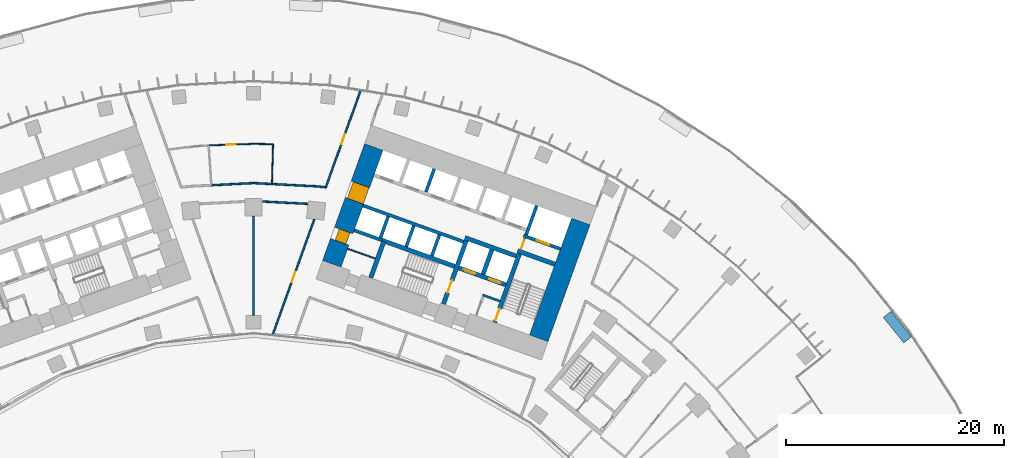
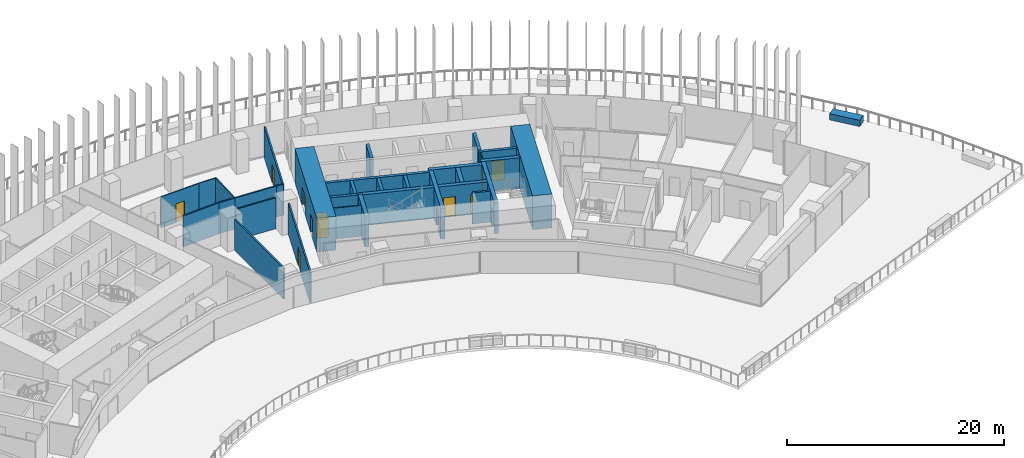
# One storey, part 19 of 24: 32 walls, 11 doors, 11 openings.
"""IFC4 building model written with IfcOpenShell, lengths in metres."""

from ifc_helpers import new_model, si_unit, direction, frame, frame_2d, origin, origin_2d, place, context, subcontext, project, spatial, rectangle, extrude, material, layer, layer_set, type_object, element, fill, save


model = new_model("IFC4")

# Units and contexts
model_context = context("Model", 3, precision=1e-05, world=origin(), true_north=direction((0.0, 1.0)))
body_context = subcontext(model_context, "Body", "Model", "MODEL_VIEW")
ifc_project = project(units=[si_unit("LENGTHUNIT", "METRE"), si_unit("AREAUNIT", "SQUARE_METRE"), si_unit("VOLUMEUNIT", "CUBIC_METRE"), si_unit("PLANEANGLEUNIT", "RADIAN"), si_unit("MASSUNIT", "GRAM", prefix="KILO")], contexts=[model_context])

# Site, building, storey
site_placement = place(None, origin())
site = spatial("IfcSite", under=ifc_project, at=site_placement, CompositionType="ELEMENT")
building_placement = place(site_placement, origin())
building = spatial("IfcBuilding", under=site, at=building_placement, Name="Stone Belt Terrace Tower", CompositionType="ELEMENT")
storey_placement = place(building_placement, frame((0.0, 0.0, 30.0)))
storey = spatial("IfcBuildingStorey", under=building, at=storey_placement, Name="L06", CompositionType="ELEMENT", Elevation=30.0)

# Wall, opening, door
ifc_material_1 = material(Name="Plasterboard partition")
ifc_layer_1 = layer(ifc_material_1, 0.10009765625)
ifc_layer_set_1 = layer_set([ifc_layer_1], Name="Core partition 100")
wall_type_1 = type_object("IfcWallType", Name="Core partition 100", PredefinedType="PARTITIONING", material=ifc_layer_set_1)
wall_1_placement = place(storey_placement, frame((24.555908203125, 51.10400390625, 0.0), z_axis=(0.0, 0.0, 1.0), x_axis=(0.338621735342, 0.94092258999, 0.0)))
wall_1 = element("IfcWall", 1, at=wall_1_placement, inside=storey, type_object=wall_type_1, Name="Core B wall", PredefinedType="PARTITIONING", context=body_context, shape_type="SweptSolid", body=[
    extrude(rectangle(XDim=1.14990234375, YDim=0.10009765625, at=frame_2d((0.574951171875, 0.0))), origin(), (0.0, 0.0, 1.0), 3.47998046875),
])
opening_1_placement = place(wall_1_placement, frame((0.050048828125, 0.0, 0.0)))
opening_1 = element("IfcOpeningElement", 2, at=opening_1_placement, cuts=wall_1, Name="Opening L06-C10", PredefinedType="OPENING", context=body_context, shape_type="SweptSolid", body=[
    extrude(rectangle(XDim=1.0, YDim=2.10009765625, at=frame_2d((0.5, 1.050048828125))), frame((0.0, 0.06005859375, 0.0), z_axis=(0.0, -1.0, 0.0), x_axis=(1.0, 0.0, 0.0)), (0.0, 0.0, 1.0), 0.1201171875),
])
ifc_material_2 = material(Name="Timber door leaf", Category="wood")
door_type_1 = type_object("IfcDoorType", Name="Core room door 1000", OperationType="SINGLE_SWING_LEFT", PredefinedType="DOOR", material=ifc_material_2)
door_1_placement = place(opening_1_placement, origin())
door_1 = element("IfcDoor", 3, at=door_1_placement, inside=storey, type_object=door_type_1, Name="Service lift lobby door core B", OperationType="SINGLE_SWING_RIGHT", OverallHeight=2.10009765625, OverallWidth=1.0, PredefinedType="DOOR", context=body_context, shape_type="SweptSolid", body=[
    extrude(rectangle(XDim=1.0, YDim=2.10009765625, at=frame_2d((0.5, 1.050048828125))), frame((0.0, 0.02490234375, 0.0), z_axis=(0.0, -1.0, 0.0), x_axis=(1.0, 0.0, 0.0)), (0.0, 0.0, 1.0), 0.050048828125),
])
fill(opening_1, door_1)

# Wall
wall_2_placement = place(storey_placement, frame((11.187744140625, 50.2822265625, 0.0), z_axis=(0.0, 0.0, 1.0), x_axis=(-0.940949642365, 0.338546555931, 0.0)))
element("IfcWall", 4, at=wall_2_placement, inside=storey, type_object=wall_type_1, Name="Core B wall", PredefinedType="PARTITIONING", context=body_context, shape_type="SweptSolid", body=[
    extrude(rectangle(XDim=2.699951171875, YDim=0.10009765625, at=frame_2d((1.35009765625, 0.0))), origin(), (0.0, 0.0, 1.0), 3.47998046875),
])

# Wall, openings, doors
ifc_material_3 = material(Name="Concrete B80", Category="concrete")
ifc_layer_2 = layer(ifc_material_3, 1.800048828125)
ifc_layer_set_2 = layer_set([ifc_layer_2], Name="Core wall 1800 B80")
wall_type_2 = type_object("IfcWallType", Name="Core wall 1800 B80", PredefinedType="SHEAR", material=ifc_layer_set_2)
wall_3_placement = place(storey_placement, frame((7.19091796875, 49.8076171875, 0.0), z_axis=(0.0, 0.0, 1.0), x_axis=(0.338632255135, 0.940918804033, 0.0)))
wall_3 = element("IfcWall", 5, at=wall_3_placement, inside=storey, type_object=wall_type_2, Name="Core B wall end_a L06", PredefinedType="SHEAR", context=body_context, shape_type="SweptSolid", body=[
    extrude(rectangle(XDim=11.39990234375, YDim=1.800048828125, at=frame_2d((5.699951171875, 0.0))), origin(), (0.0, 0.0, 1.0), 3.800048828125),
])
opening_2_placement = place(wall_3_placement, frame((6.14990234375, 0.0, 0.0)))
opening_2 = element("IfcOpeningElement", 6, at=opening_2_placement, cuts=wall_3, Name="Opening L06-C11", PredefinedType="OPENING", context=body_context, shape_type="SweptSolid", body=[
    extrude(rectangle(XDim=1.60009765625, YDim=2.10009765625, at=frame_2d((0.800048828125, 1.050048828125))), frame((0.0, 0.909912109375, 0.0), z_axis=(0.0, -1.0, 0.0), x_axis=(1.0, 0.0, 0.0)), (0.0, 0.0, 1.0), 1.820068359375),
])
opening_3_placement = place(wall_3_placement, frame((2.14990234375, 0.0, 0.0)))
opening_3 = element("IfcOpeningElement", 7, at=opening_3_placement, cuts=wall_3, Name="Opening L06-C17", PredefinedType="OPENING", context=body_context, shape_type="SweptSolid", body=[
    extrude(rectangle(XDim=1.10009765625, YDim=2.10009765625, at=frame_2d((0.550048828125, 1.050048828125))), frame((0.0, 0.909912109375, 0.0), z_axis=(0.0, -1.0, 0.0), x_axis=(1.0, 0.0, 0.0)), (0.0, 0.0, 1.0), 1.820068359375),
])
door_type_2 = type_object("IfcDoorType", Name="Core room door 1100", OperationType="SINGLE_SWING_LEFT", PredefinedType="DOOR", material=ifc_material_2)
door_2_placement = place(opening_3_placement, origin())
door_2 = element("IfcDoor", 8, at=door_2_placement, inside=storey, type_object=door_type_2, Name="Door to Accessible WC core B", OperationType="SINGLE_SWING_LEFT", OverallHeight=2.10009765625, OverallWidth=1.10009765625, PredefinedType="DOOR", context=body_context, shape_type="SweptSolid", body=[
    extrude(rectangle(XDim=1.10009765625, YDim=2.10009765625, at=frame_2d((0.550048828125, 1.050048828125))), frame((0.0, 0.44482421875, 0.0), z_axis=(0.0, -1.0, 0.0), x_axis=(1.0, 0.0, 0.0)), (0.0, 0.0, 1.0), 1.050048828125),
])
fill(opening_3, door_2)
ifc_material_4 = material(Name="Glazed aluminium door leaf", Category="aluminium")
door_type_3 = type_object("IfcDoorType", Name="Lift lobby entrance door 1600", OperationType="DOUBLE_DOOR_SINGLE_SWING", PredefinedType="DOOR", material=ifc_material_4)
door_3_placement = place(opening_2_placement, origin())
door_3 = element("IfcDoor", 9, at=door_3_placement, inside=storey, type_object=door_type_3, Name="Lift lobby entrance door core B", OperationType="DOUBLE_DOOR_SINGLE_SWING", OverallHeight=2.10009765625, OverallWidth=1.60009765625, PredefinedType="DOOR", context=body_context, shape_type="SweptSolid", body=[
    extrude(rectangle(XDim=1.60009765625, YDim=2.10009765625, at=frame_2d((0.800048828125, 1.050048828125))), frame((0.0, 0.69482421875, 0.0), z_axis=(0.0, -1.0, 0.0), x_axis=(1.0, 0.0, 0.0)), (0.0, 0.0, 1.0), 1.550048828125),
])
fill(opening_2, door_3)

# Walls
wall_4_placement = place(storey_placement, frame((26.197509765625, 42.96728515625, 0.0), z_axis=(0.0, 0.0, 1.0), x_axis=(0.338625431531, 0.940921259788, 0.0)))
element("IfcWall", 10, at=wall_4_placement, inside=storey, type_object=wall_type_2, Name="Core B wall end_b L06", PredefinedType="SHEAR", context=body_context, shape_type="SweptSolid", body=[
    extrude(rectangle(XDim=11.400146484375, YDim=1.800048828125, at=frame_2d((5.7001953125, 0.0))), origin(), (0.0, 0.0, 1.0), 3.800048828125),
])
ifc_layer_3 = layer(ifc_material_3, 0.39990234375)
ifc_layer_set_3 = layer_set([ifc_layer_3], Name="Fire-fighting lift shaft wall 400")
wall_type_3 = type_object("IfcWallType", Name="Fire-fighting lift shaft wall 400", PredefinedType="SHEAR", material=ifc_layer_set_3)
wall_5_placement = place(storey_placement, frame((24.130615234375, 50.512939453125, 0.0), z_axis=(0.0, 0.0, 1.0), x_axis=(-0.94091168377, 0.338652038744, 0.0)))
element("IfcWall", 11, at=wall_5_placement, inside=storey, type_object=wall_type_3, Name="Core B wall", PredefinedType="SHEAR", context=body_context, shape_type="SweptSolid", body=[
    extrude(rectangle(XDim=5.000244140625, YDim=0.39990234375, at=frame_2d((2.5, 0.0))), origin(), (0.0, 0.0, 1.0), 3.47998046875),
])
wall_6_placement = place(storey_placement, frame((21.0859375, 48.845458984375, 0.0), z_axis=(0.0, 0.0, 1.0), x_axis=(0.338629416206, 0.940919825745, 0.0)))
element("IfcWall", 12, at=wall_6_placement, inside=storey, type_object=wall_type_3, Name="Core B wall", PredefinedType="SHEAR", context=body_context, shape_type="SweptSolid", body=[
    extrude(rectangle(XDim=2.400146484375, YDim=0.39990234375, at=frame_2d((1.2001953125, 0.0))), origin(), (0.0, 0.0, 1.0), 3.47998046875),
])

# Wall, opening, door
ifc_layer_4 = layer(ifc_material_3, 0.300048828125)
ifc_layer_set_4 = layer_set([ifc_layer_4], Name="Lift shaft wall 300")
wall_type_4 = type_object("IfcWallType", Name="Lift shaft wall 300", PredefinedType="SHEAR", material=ifc_layer_set_4)
wall_7_placement = place(storey_placement, frame((28.195068359375, 51.17578125, 0.0), z_axis=(0.0, 0.0, 1.0), x_axis=(-0.940901243567, 0.338681044427, 0.0)))
wall_7 = element("IfcWall", 13, at=wall_7_placement, inside=storey, type_object=wall_type_4, Name="Core B wall", PredefinedType="SHEAR", context=body_context, shape_type="SweptSolid", body=[
    extrude(rectangle(XDim=3.599853515625, YDim=0.300048828125, at=frame_2d((1.7998046875, 0.0))), origin(), (0.0, 0.0, 1.0), 3.47998046875),
])
opening_4_placement = place(wall_7_placement, frame((1.1201171875, 0.0, 0.0)))
opening_4 = element("IfcOpeningElement", 14, at=opening_4_placement, cuts=wall_7, Name="Opening L06-LD18", PredefinedType="OPENING", context=body_context, shape_type="SweptSolid", body=[
    extrude(rectangle(XDim=1.199951171875, YDim=2.199951171875, at=frame_2d((0.60009765625, 1.10009765625))), frame((0.0, 0.159912109375, 0.0), z_axis=(0.0, -1.0, 0.0), x_axis=(1.0, 0.0, 0.0)), (0.0, 0.0, 1.0), 0.320068359375),
])
ifc_material_5 = material(Name="Stainless steel door leaf", Category="steel")
door_type_4 = type_object("IfcDoorType", Name="Landing door 1200", OperationType="SLIDING_TO_LEFT", PredefinedType="DOOR", material=ifc_material_5)
door_4_placement = place(opening_4_placement, origin())
door_4 = element("IfcDoor", 15, at=door_4_placement, inside=storey, type_object=door_type_4, Name="Landing door SV1 core B", OperationType="SLIDING_TO_LEFT", OverallHeight=2.199951171875, OverallWidth=1.199951171875, PredefinedType="DOOR", context=body_context, shape_type="SweptSolid", body=[
    extrude(rectangle(XDim=1.199951171875, YDim=2.199951171875, at=frame_2d((0.60009765625, 1.10009765625))), frame((0.0, 0.02490234375, 0.0), z_axis=(0.0, -1.0, 0.0), x_axis=(1.0, 0.0, 0.0)), (0.0, 0.0, 1.0), 0.050048828125),
])
fill(opening_4, door_4)

# Walls
wall_8_placement = place(storey_placement, frame((25.046875, 52.46826171875, 0.0), z_axis=(0.0, 0.0, 1.0), x_axis=(0.338549588058, 0.940948551423, 0.0)))
element("IfcWall", 16, at=wall_8_placement, inside=storey, type_object=wall_type_4, Name="Core B wall", PredefinedType="SHEAR", context=body_context, shape_type="SweptSolid", body=[
    extrude(rectangle(XDim=2.849853515625, YDim=0.300048828125, at=frame_2d((1.4248046875, 0.0))), origin(), (0.0, 0.0, 1.0), 3.47998046875),
])
wall_9_placement = place(storey_placement, frame((19.29052734375, 51.829833984375, 0.0), z_axis=(0.0, 0.0, 1.0), x_axis=(-0.940925833398, 0.338612722803, 0.0)))
element("IfcWall", 17, at=wall_9_placement, inside=storey, type_object=wall_type_4, Name="Core B wall", PredefinedType="SHEAR", context=body_context, shape_type="SweptSolid", body=[
    extrude(rectangle(XDim=9.7998046875, YDim=0.300048828125, at=frame_2d((4.89990234375, 0.0))), origin(), (0.0, 0.0, 1.0), 3.47998046875),
])
for number, where, z_axis, x_axis, name in (
    (18, (16.38134765625, 50.53857421875, 0.0), (0.0, 0.0, 1.0), (0.338681515556, 0.940901073982, 0.0), "Core B wall"),
    (19, (14.029052734375, 51.38525390625, 0.0), (0.0, 0.0, 1.0), (0.338681515556, 0.940901073982, 0.0), "Core B wall"),
):
    element("IfcWall", number, at=place(storey_placement, frame(where, z_axis=z_axis, x_axis=x_axis)), inside=storey, type_object=wall_type_4, Name=name, PredefinedType="SHEAR", context=body_context, shape_type="SweptSolid", body=[
        extrude(rectangle(XDim=2.050048828125, YDim=0.300048828125, at=frame_2d((1.02490234375, 0.0))), origin(), (0.0, 0.0, 1.0), 3.47998046875),
    ])
wall_10_placement = place(storey_placement, frame((15.8408203125, 56.419189453125, 0.0), z_axis=(0.0, 0.0, 1.0), x_axis=(0.338569601369, 0.940941350472, 0.0)))
element("IfcWall", 20, at=wall_10_placement, inside=storey, type_object=wall_type_4, Name="Core B wall", PredefinedType="SHEAR", context=body_context, shape_type="SweptSolid", body=[
    extrude(rectangle(XDim=2.249755859375, YDim=0.300048828125, at=frame_2d((1.125, 0.0))), origin(), (0.0, 0.0, 1.0), 3.47998046875),
])
wall_11_placement = place(storey_placement, frame((11.797119140625, 51.975830078125, 0.0), z_axis=(0.0, 0.0, 1.0), x_axis=(-0.940910465161, 0.33865542451, 0.0)))
element("IfcWall", 21, at=wall_11_placement, inside=storey, type_object=wall_type_4, Name="Core B wall", PredefinedType="SHEAR", context=body_context, shape_type="SweptSolid", body=[
    extrude(rectangle(XDim=2.69970703125, YDim=0.300048828125, at=frame_2d((1.349853515625, 0.0))), origin(), (0.0, 0.0, 1.0), 3.47998046875),
])
wall_12_placement = place(storey_placement, frame((11.659912109375, 52.184814453125, 0.0), z_axis=(0.0, 0.0, 1.0), x_axis=(0.338670064856, 0.940905195634, 0.0)))
element("IfcWall", 22, at=wall_12_placement, inside=storey, type_object=wall_type_4, Name="Core B wall", PredefinedType="SHEAR", context=body_context, shape_type="SweptSolid", body=[
    extrude(rectangle(XDim=2.099853515625, YDim=0.300048828125, at=frame_2d((1.0498046875, 0.0))), origin(), (0.0, 0.0, 1.0), 3.47998046875),
])
ifc_material_6 = material(Name="Gypsum board partition")
ifc_layer_5 = layer(ifc_material_6, 0.10009765625)
ifc_layer_set_5 = layer_set([ifc_layer_5], Name="PARTITION 100")
wall_type_5 = type_object("IfcWallType", Name="PARTITION 100", PredefinedType="PARTITIONING", material=ifc_layer_set_5)
wall_13_placement = place(storey_placement, frame((1.68896484375, 57.136962890625, 0.0), z_axis=(0.0, 0.0, 1.0), x_axis=(0.029528329362, 0.99956394381, 0.0)))
element("IfcWall", 23, at=wall_13_placement, inside=storey, type_object=wall_type_5, Name="L06/wall/i092", PredefinedType="PARTITIONING", context=body_context, shape_type="SweptSolid", body=[
    extrude(rectangle(XDim=3.662841796875, YDim=0.10009765625, at=frame_2d((1.83154296875, 0.0))), origin(), (0.0, 0.0, 1.0), 3.47998046875),
])
wall_14_placement = place(storey_placement, frame((1.797119140625, 60.798095703125, 0.0), z_axis=(0.0, 0.0, 1.0), x_axis=(-0.999888362781, 0.014941953526, 0.0)))
element("IfcWall", 24, at=wall_14_placement, inside=storey, type_object=wall_type_5, Name="L06/wall/i093", PredefinedType="PARTITIONING", context=body_context, shape_type="SweptSolid", body=[
    extrude(rectangle(XDim=1.79736328125, YDim=0.10009765625, at=frame_2d((0.898681640625, 0.0))), origin(), (0.0, 0.0, 1.0), 3.47998046875),
])

# Wall, opening, door
wall_15_placement = place(storey_placement, frame((0.0, 60.824951171875, 0.0), z_axis=(0.0, 0.0, 1.0), x_axis=(-0.999424893821, -0.03390990432, 0.0)))
wall_15 = element("IfcWall", 25, at=wall_15_placement, inside=storey, type_object=wall_type_5, Name="L06/wall/i094", PredefinedType="PARTITIONING", context=body_context, shape_type="SweptSolid", body=[
    extrude(rectangle(XDim=4.12548828125, YDim=0.10009765625, at=frame_2d((2.062744140625, 0.0))), origin(), (0.0, 0.0, 1.0), 3.47998046875),
])
opening_5_placement = place(wall_15_placement, frame((1.61279296875, 0.0, 0.0)))
opening_5 = element("IfcOpeningElement", 26, at=opening_5_placement, cuts=wall_15, Name="Opening D-A1-30", PredefinedType="OPENING", context=body_context, shape_type="SweptSolid", body=[
    extrude(rectangle(XDim=0.89990234375, YDim=2.10009765625, at=frame_2d((0.449951171875, 1.050048828125))), frame((0.0, 0.06005859375, 0.0), z_axis=(0.0, -1.0, 0.0), x_axis=(1.0, 0.0, 0.0)), (0.0, 0.0, 1.0), 0.1201171875),
])
door_type_5 = type_object("IfcDoorType", Name="OFFICE DOOR 900 X 2100", OperationType="NOTDEFINED", PredefinedType="DOOR", material=ifc_material_2)
door_5_placement = place(opening_5_placement, origin())
door_5 = element("IfcDoor", 27, at=door_5_placement, inside=storey, type_object=door_type_5, Name="L06/door/i30", OperationType="SINGLE_SWING_RIGHT", OverallHeight=2.10009765625, OverallWidth=0.89990234375, PredefinedType="DOOR", context=body_context, shape_type="SweptSolid", body=[
    extrude(rectangle(XDim=0.89990234375, YDim=2.10009765625, at=frame_2d((0.449951171875, 1.050048828125))), frame((0.0, 0.02490234375, 0.0), z_axis=(0.0, -1.0, 0.0), x_axis=(1.0, 0.0, 0.0)), (0.0, 0.0, 1.0), 0.050048828125),
])
fill(opening_5, door_5)

ifc_layer_6 = layer(ifc_material_6, 0.14990234375)
ifc_layer_set_6 = layer_set([ifc_layer_6], Name="PARTITION 150 EI 60")
wall_type_6 = type_object("IfcWallType", Name="PARTITION 150 EI 60", PredefinedType="PARTITIONING", material=ifc_layer_set_6)
wall_16_placement = place(storey_placement, frame((1.771484375, 43.313720703125, 0.0), z_axis=(0.0, 0.0, 1.0), x_axis=(0.338622486498, 0.940922319662, 0.0)))
wall_16 = element("IfcWall", 28, at=wall_16_placement, inside=storey, type_object=wall_type_6, Name="L06/wall/i020", PredefinedType="PARTITIONING", context=body_context, shape_type="SweptSolid", body=[
    extrude(rectangle(XDim=11.232177734375, YDim=0.14990234375, at=frame_2d((5.6162109375, 0.0))), origin(), (0.0, 0.0, 1.0), 3.47998046875),
])
opening_6_placement = place(wall_16_placement, frame((5.1162109375, 0.0, 0.0)))
opening_6 = element("IfcOpeningElement", 29, at=opening_6_placement, cuts=wall_16, Name="Opening D-A1-27", PredefinedType="OPENING", context=body_context, shape_type="SweptSolid", body=[
    extrude(rectangle(XDim=1.0, YDim=2.10009765625, at=frame_2d((0.5, 1.050048828125))), frame((0.0, 0.0849609375, 0.0), z_axis=(0.0, -1.0, 0.0), x_axis=(1.0, 0.0, 0.0)), (0.0, 0.0, 1.0), 0.169921875),
])
ifc_material_7 = material(Name="Timber fire door leaf", Category="wood")
door_type_6 = type_object("IfcDoorType", Name="TENANCY ENTRANCE DOOR 1000 X 2100", OperationType="NOTDEFINED", PredefinedType="DOOR", material=ifc_material_7)
door_6_placement = place(opening_6_placement, origin())
door_6 = element("IfcDoor", 30, at=door_6_placement, inside=storey, type_object=door_type_6, Name="L06/door/i27", OperationType="SINGLE_SWING_LEFT", OverallHeight=2.10009765625, OverallWidth=1.0, PredefinedType="DOOR", context=body_context, shape_type="SweptSolid", body=[
    extrude(rectangle(XDim=1.0, YDim=2.10009765625, at=frame_2d((0.5, 1.050048828125))), frame((0.0, 0.02490234375, 0.0), z_axis=(0.0, -1.0, 0.0), x_axis=(1.0, 0.0, 0.0)), (0.0, 0.0, 1.0), 0.050048828125),
])
fill(opening_6, door_6)

wall_17_placement = place(storey_placement, frame((6.634033203125, 56.822998046875, 0.0), z_axis=(0.0, 0.0, 1.0), x_axis=(0.338561511742, 0.940944261243, 0.0)))
wall_17 = element("IfcWall", 31, at=wall_17_placement, inside=storey, type_object=wall_type_6, Name="L06/wall/i021", PredefinedType="PARTITIONING", context=body_context, shape_type="SweptSolid", body=[
    extrude(rectangle(XDim=9.4140625, YDim=0.14990234375, at=frame_2d((4.70703125, 0.0))), origin(), (0.0, 0.0, 1.0), 3.47998046875),
])
opening_7_placement = place(wall_17_placement, frame((4.20703125, 0.0, 0.0)))
opening_7 = element("IfcOpeningElement", 32, at=opening_7_placement, cuts=wall_17, Name="Opening D-A1-28", PredefinedType="OPENING", context=body_context, shape_type="SweptSolid", body=[
    extrude(rectangle(XDim=1.0, YDim=2.10009765625, at=frame_2d((0.5, 1.050048828125))), frame((0.0, 0.0849609375, 0.0), z_axis=(0.0, -1.0, 0.0), x_axis=(1.0, 0.0, 0.0)), (0.0, 0.0, 1.0), 0.169921875),
])
door_7_placement = place(opening_7_placement, origin())
door_7 = element("IfcDoor", 33, at=door_7_placement, inside=storey, type_object=door_type_6, Name="L06/door/i28", OperationType="SINGLE_SWING_RIGHT", OverallHeight=2.10009765625, OverallWidth=1.0, PredefinedType="DOOR", context=body_context, shape_type="SweptSolid", body=[
    extrude(rectangle(XDim=1.0, YDim=2.10009765625, at=frame_2d((0.5, 1.050048828125))), frame((0.0, 0.02490234375, 0.0), z_axis=(0.0, -1.0, 0.0), x_axis=(1.0, 0.0, 0.0)), (0.0, 0.0, 1.0), 0.050048828125),
])
fill(opening_7, door_7)

# Walls
wall_18_placement = place(storey_placement, frame((4.979248046875, 55.314453125, 0.0), z_axis=(0.0, 0.0, 1.0), x_axis=(-0.998634659291, 0.052238082501, 0.0)))
element("IfcWall", 34, at=wall_18_placement, inside=storey, type_object=wall_type_6, Name="L06/wall/i082", PredefinedType="PARTITIONING", context=body_context, shape_type="SweptSolid", body=[
    extrude(rectangle(XDim=4.15478515625, YDim=0.14990234375, at=frame_2d((2.077392578125, 0.0))), origin(), (0.0, 0.0, 1.0), 3.47998046875),
])
wall_19_placement = place(storey_placement, frame((1.68310546875, 57.136962890625, 0.0), z_axis=(0.0, 0.0, 1.0), x_axis=(0.99863485374, -0.052234365078, 0.0)))
element("IfcWall", 35, at=wall_19_placement, inside=storey, type_object=wall_type_6, Name="L06/wall/i083", PredefinedType="PARTITIONING", context=body_context, shape_type="SweptSolid", body=[
    extrude(rectangle(XDim=4.3046875, YDim=0.14990234375, at=frame_2d((2.15234375, 0.0))), origin(), (0.0, 0.0, 1.0), 3.47998046875),
])
wall_20_placement = place(storey_placement, frame((5.98193359375, 56.912109375, 0.0), z_axis=(0.0, 0.0, 1.0), x_axis=(0.992042541351, -0.125903122083, 0.0)))
element("IfcWall", 36, at=wall_20_placement, inside=storey, type_object=wall_type_6, Name="L06/wall/i084", PredefinedType="PARTITIONING", context=body_context, shape_type="SweptSolid", body=[
    extrude(rectangle(XDim=0.6591796875, YDim=0.14990234375, at=frame_2d((0.32958984375, 0.0))), origin(), (0.0, 0.0, 1.0), 3.47998046875),
])
wall_21_placement = place(storey_placement, frame((-3.8798828125, 57.02197265625, 0.0), z_axis=(0.0, 0.0, 1.0), x_axis=(0.998632372254, 0.052281785409, 0.0)))
element("IfcWall", 37, at=wall_21_placement, inside=storey, type_object=wall_type_6, Name="L06/wall/i087", PredefinedType="PARTITIONING", context=body_context, shape_type="SweptSolid", body=[
    extrude(rectangle(XDim=3.88525390625, YDim=0.14990234375, at=frame_2d((1.942626953125, 0.0))), origin(), (0.0, 0.0, 1.0), 3.47998046875),
])
wall_22_placement = place(storey_placement, frame((0.0, 57.22509765625, 0.0), z_axis=(0.0, 0.0, 1.0), x_axis=(0.9986210061, -0.052498439756, 0.0)))
element("IfcWall", 38, at=wall_22_placement, inside=storey, type_object=wall_type_6, Name="L06/wall/i088", PredefinedType="PARTITIONING", context=body_context, shape_type="SweptSolid", body=[
    extrude(rectangle(XDim=1.697509765625, YDim=0.14990234375, at=frame_2d((0.8486328125, 0.0))), origin(), (0.0, 0.0, 1.0), 3.47998046875),
])
wall_23_placement = place(storey_placement, frame((0.0, 54.169921875, 0.0), z_axis=(0.0, 0.0, 1.0), x_axis=(0.0, -1.0, 0.0)))
element("IfcWall", 39, at=wall_23_placement, inside=storey, type_object=wall_type_6, Name="L06/wall/i089", PredefinedType="PARTITIONING", context=body_context, shape_type="SweptSolid", body=[
    extrude(rectangle(XDim=9.06982421875, YDim=0.14990234375, at=frame_2d((4.534912109375, 0.0))), origin(), (0.0, 0.0, 1.0), 3.47998046875),
])
ifc_material_8 = material(Name="Precast concrete C40/50", Category="concrete")
ifc_layer_7 = layer(ifc_material_8, 0.89990234375)
ifc_layer_set_7 = layer_set([ifc_layer_7], Name="Planter box 900 x 700")
wall_type_7 = type_object("IfcWallType", Name="Planter box 900 x 700", PredefinedType="SOLIDWALL", material=ifc_layer_set_7)
wall_24_placement = place(storey_placement, frame((59.141357421875, 43.994140625, 0.0), z_axis=(0.0, 0.0, 1.0), x_axis=(-0.62932039105, 0.777145961457, 0.0)))
element("IfcWall", 40, at=wall_24_placement, inside=storey, type_object=wall_type_7, Name="PLANTER L06 2", PredefinedType="SOLIDWALL", context=body_context, shape_type="SweptSolid", body=[
    extrude(rectangle(XDim=3.0, YDim=0.89990234375, at=origin_2d()), origin(), (0.0, 0.0, 1.0), 0.699951171875),
])
ifc_material_9 = material(Name="Concrete masonry block", Category="masonry")
ifc_layer_8 = layer(ifc_material_9, 0.199951171875)
ifc_layer_set_8 = layer_set([ifc_layer_8], Name="Rated lobby wall 200")
wall_type_8 = type_object("IfcWallType", Name="Rated lobby wall 200", PredefinedType="PARTITIONING", material=ifc_layer_set_8)
wall_25_placement = place(storey_placement, frame((22.640625, 46.373046875, 0.0), z_axis=(0.0, 0.0, 1.0), x_axis=(-0.940966110313, 0.338500781747, 0.0)))
element("IfcWall", 41, at=wall_25_placement, inside=storey, type_object=wall_type_8, Name="Core B wall", PredefinedType="PARTITIONING", context=body_context, shape_type="SweptSolid", body=[
    extrude(rectangle(XDim=1.699951171875, YDim=0.199951171875, at=frame_2d((0.85009765625, 0.0))), origin(), (0.0, 0.0, 1.0), 3.47998046875),
])
ifc_layer_9 = layer(ifc_material_3, 0.39990234375)
ifc_layer_set_9 = layer_set([ifc_layer_9], Name="Stair enclosure wall 400")
wall_type_9 = type_object("IfcWallType", Name="Stair enclosure wall 400", PredefinedType="SHEAR", material=ifc_layer_set_9)
wall_26_placement = place(storey_placement, frame((27.687255859375, 49.764404296875, 0.0), z_axis=(0.0, 0.0, 1.0), x_axis=(-0.940918954884, 0.338631835981, 0.0)))
element("IfcWall", 42, at=wall_26_placement, inside=storey, type_object=wall_type_9, Name="Core B wall", PredefinedType="SHEAR", context=body_context, shape_type="SweptSolid", body=[
    extrude(rectangle(XDim=3.650146484375, YDim=0.39990234375, at=frame_2d((1.8251953125, 0.0))), origin(), (0.0, 0.0, 1.0), 3.47998046875),
])

# Wall, opening, door
wall_27_placement = place(storey_placement, frame((22.151611328125, 44.42333984375, 0.0), z_axis=(0.0, 0.0, 1.0), x_axis=(0.338625272931, 0.940921316866, 0.0)))
wall_27 = element("IfcWall", 43, at=wall_27_placement, inside=storey, type_object=wall_type_9, Name="Core B wall", PredefinedType="SHEAR", context=body_context, shape_type="SweptSolid", body=[
    extrude(rectangle(XDim=6.699951171875, YDim=0.39990234375, at=frame_2d((3.35009765625, 0.0))), origin(), (0.0, 0.0, 1.0), 3.47998046875),
])
opening_8_placement = place(wall_27_placement, frame((0.14990234375, 0.0, 0.0)))
opening_8 = element("IfcOpeningElement", 44, at=opening_8_placement, cuts=wall_27, Name="Opening L06-C12", PredefinedType="OPENING", context=body_context, shape_type="SweptSolid", body=[
    extrude(rectangle(XDim=1.199951171875, YDim=2.10009765625, at=frame_2d((0.60009765625, 1.050048828125))), frame((0.0, 0.2099609375, 0.0), z_axis=(0.0, -1.0, 0.0), x_axis=(1.0, 0.0, 0.0)), (0.0, 0.0, 1.0), 0.419921875),
])
ifc_material_10 = material(Name="Steel door leaf", Category="steel")
door_type_7 = type_object("IfcDoorType", Name="Stair door 1200", OperationType="SINGLE_SWING_LEFT", PredefinedType="DOOR", material=ifc_material_10)
door_8_placement = place(opening_8_placement, origin())
door_8 = element("IfcDoor", 45, at=door_8_placement, inside=storey, type_object=door_type_7, Name="Stair 1 door core B", OperationType="SINGLE_SWING_RIGHT", OverallHeight=2.10009765625, OverallWidth=1.199951171875, PredefinedType="DOOR", context=body_context, shape_type="SweptSolid", body=[
    extrude(rectangle(XDim=1.199951171875, YDim=2.10009765625, at=frame_2d((0.60009765625, 1.050048828125))), frame((0.0, 0.02490234375, 0.0), z_axis=(0.0, -1.0, 0.0), x_axis=(1.0, 0.0, 0.0)), (0.0, 0.0, 1.0), 0.050048828125),
])
fill(opening_8, door_8)

# Wall, openings, doors
wall_28_placement = place(storey_placement, frame((23.182373046875, 47.87841796875, 0.0), z_axis=(0.0, 0.0, 1.0), x_axis=(-0.940921101762, 0.338625870628, 0.0)))
wall_28 = element("IfcWall", 46, at=wall_28_placement, inside=storey, type_object=wall_type_9, Name="Core B wall", PredefinedType="SHEAR", context=body_context, shape_type="SweptSolid", body=[
    extrude(rectangle(XDim=12.10009765625, YDim=0.39990234375, at=frame_2d((6.050048828125, 0.0))), origin(), (0.0, 0.0, 1.0), 3.47998046875),
])
opening_9_placement = place(wall_28_placement, frame((0.52001953125, 0.0, 0.0)))
opening_9 = element("IfcOpeningElement", 47, at=opening_9_placement, cuts=wall_28, Name="Opening L06-LD16", PredefinedType="OPENING", context=body_context, shape_type="SweptSolid", body=[
    extrude(rectangle(XDim=1.10009765625, YDim=2.199951171875, at=frame_2d((0.550048828125, 1.10009765625))), frame((0.0, 0.2099609375, 0.0), z_axis=(0.0, -1.0, 0.0), x_axis=(1.0, 0.0, 0.0)), (0.0, 0.0, 1.0), 0.419921875),
])
opening_10_placement = place(wall_28_placement, frame((3.02001953125, 0.0, 0.0)))
opening_10 = element("IfcOpeningElement", 48, at=opening_10_placement, cuts=wall_28, Name="Opening L06-LD17", PredefinedType="OPENING", context=body_context, shape_type="SweptSolid", body=[
    extrude(rectangle(XDim=1.10009765625, YDim=2.199951171875, at=frame_2d((0.550048828125, 1.10009765625))), frame((0.0, 0.2099609375, 0.0), z_axis=(0.0, -1.0, 0.0), x_axis=(1.0, 0.0, 0.0)), (0.0, 0.0, 1.0), 0.419921875),
])
door_type_8 = type_object("IfcDoorType", Name="Landing door 1100", OperationType="SLIDING_TO_LEFT", PredefinedType="DOOR", material=ifc_material_5)
door_9_placement = place(opening_9_placement, origin())
door_9 = element("IfcDoor", 49, at=door_9_placement, inside=storey, type_object=door_type_8, Name="Landing door FF1 core B", OperationType="SLIDING_TO_LEFT", OverallHeight=2.199951171875, OverallWidth=1.10009765625, PredefinedType="DOOR", context=body_context, shape_type="SweptSolid", body=[
    extrude(rectangle(XDim=1.10009765625, YDim=2.199951171875, at=frame_2d((0.550048828125, 1.10009765625))), frame((0.0, 0.02490234375, 0.0), z_axis=(0.0, -1.0, 0.0), x_axis=(1.0, 0.0, 0.0)), (0.0, 0.0, 1.0), 0.050048828125),
])
fill(opening_9, door_9)
door_10_placement = place(opening_10_placement, origin())
door_10 = element("IfcDoor", 50, at=door_10_placement, inside=storey, type_object=door_type_8, Name="Landing door FF2 core B", OperationType="SLIDING_TO_LEFT", OverallHeight=2.199951171875, OverallWidth=1.10009765625, PredefinedType="DOOR", context=body_context, shape_type="SweptSolid", body=[
    extrude(rectangle(XDim=1.10009765625, YDim=2.199951171875, at=frame_2d((0.550048828125, 1.10009765625))), frame((0.0, 0.02490234375, 0.0), z_axis=(0.0, -1.0, 0.0), x_axis=(1.0, 0.0, 0.0)), (0.0, 0.0, 1.0), 0.050048828125),
])
fill(opening_10, door_10)

# Wall, opening, door
wall_29_placement = place(storey_placement, frame((17.447021484375, 46.116455078125, 0.0), z_axis=(0.0, 0.0, 1.0), x_axis=(0.33860791464, 0.940927563707, 0.0)))
wall_29 = element("IfcWall", 51, at=wall_29_placement, inside=storey, type_object=wall_type_9, Name="Core B wall", PredefinedType="SHEAR", context=body_context, shape_type="SweptSolid", body=[
    extrude(rectangle(XDim=6.199951171875, YDim=0.39990234375, at=frame_2d((3.10009765625, 0.0))), origin(), (0.0, 0.0, 1.0), 3.47998046875),
])
opening_11_placement = place(wall_29_placement, frame((1.10009765625, 0.0, 0.0)))
opening_11 = element("IfcOpeningElement", 52, at=opening_11_placement, cuts=wall_29, Name="Opening L06-C15", PredefinedType="OPENING", context=body_context, shape_type="SweptSolid", body=[
    extrude(rectangle(XDim=1.199951171875, YDim=2.10009765625, at=frame_2d((0.60009765625, 1.050048828125))), frame((0.0, 0.2099609375, 0.0), z_axis=(0.0, -1.0, 0.0), x_axis=(1.0, 0.0, 0.0)), (0.0, 0.0, 1.0), 0.419921875),
])
door_11_placement = place(opening_11_placement, origin())
door_11 = element("IfcDoor", 53, at=door_11_placement, inside=storey, type_object=door_type_7, Name="Stair 2 door core B", OperationType="SINGLE_SWING_RIGHT", OverallHeight=2.10009765625, OverallWidth=1.199951171875, PredefinedType="DOOR", context=body_context, shape_type="SweptSolid", body=[
    extrude(rectangle(XDim=1.199951171875, YDim=2.10009765625, at=frame_2d((0.60009765625, 1.050048828125))), frame((0.0, 0.02490234375, 0.0), z_axis=(0.0, -1.0, 0.0), x_axis=(1.0, 0.0, 0.0)), (0.0, 0.0, 1.0), 0.050048828125),
])
fill(opening_11, door_11)

# Wall
wall_30_placement = place(storey_placement, frame((10.766357421875, 48.520751953125, 0.0), z_axis=(0.0, 0.0, 1.0), x_axis=(0.338626928157, 0.94092072117, 0.0)))
element("IfcWall", 54, at=wall_30_placement, inside=storey, type_object=wall_type_9, Name="Core B wall", PredefinedType="SHEAR", context=body_context, shape_type="SweptSolid", body=[
    extrude(rectangle(XDim=3.550048828125, YDim=0.39990234375, at=frame_2d((1.77490234375, 0.0))), origin(), (0.0, 0.0, 1.0), 3.47998046875),
])

save(model, "model.ifc")
